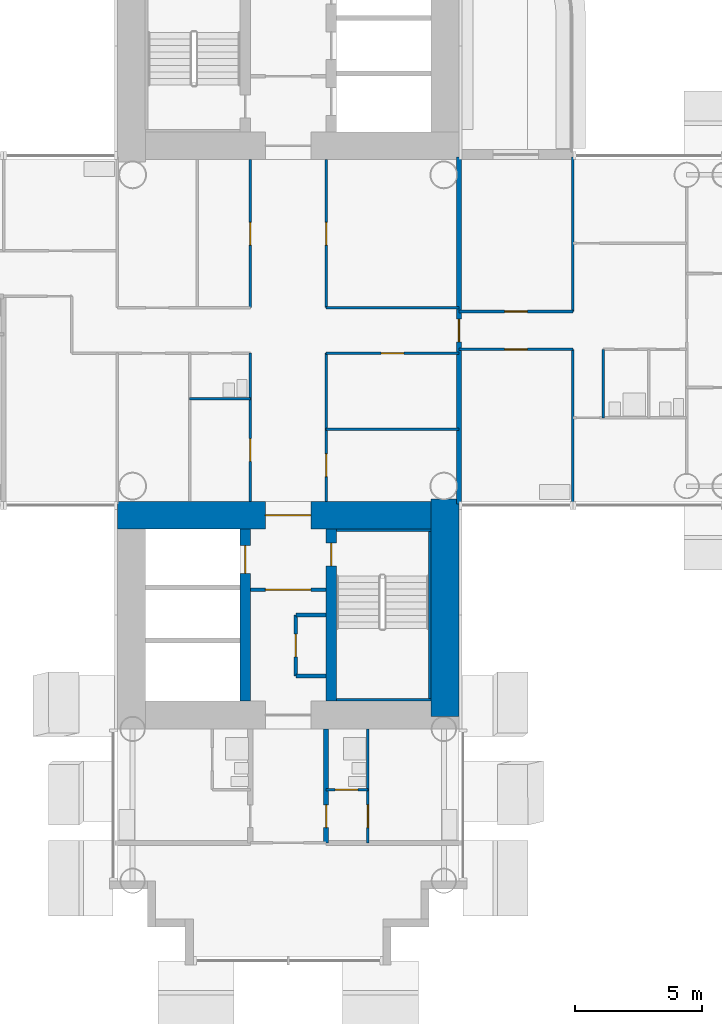
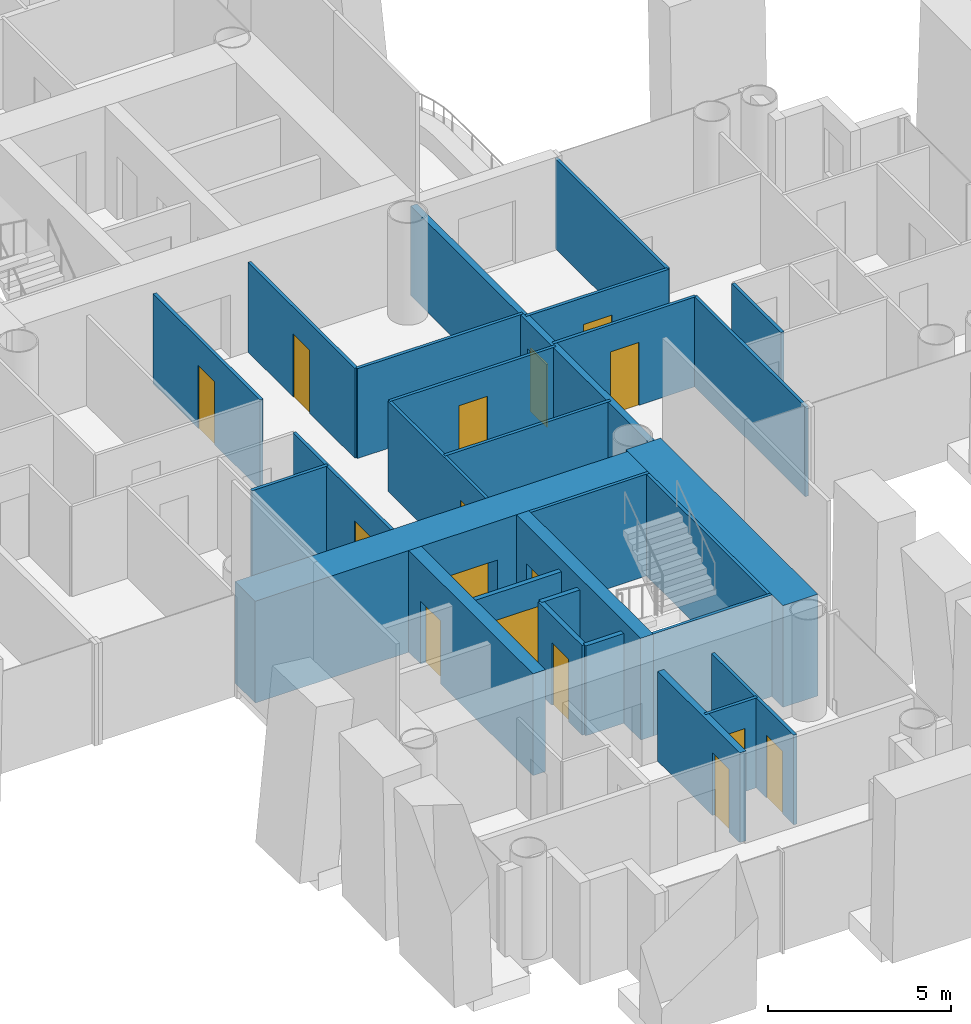
# One storey, part 15 of 25: 28 walls, 16 doors, 16 openings.
"""IFC4 building model written with IfcOpenShell, lengths in metres."""

import ifcopenshell
import ifcopenshell.guid

model = None  # the IFC model being written
_history = None  # IfcOwnerHistory: only IFC2X3 demands one
_inside = {}  # id of a spatial element -> (the spatial element, [elements in it])
_under = {}  # id of a project, library or spatial element -> (it, [spatial elements below it])
_declared = {}  # id of a project -> (the project, [libraries it declares])
_typed = {}  # id of a type object -> (the type object, [elements of that type])
_made_of = {}  # id of a material, layer set ... -> (it, [elements and type objects made of it])


def new_model(schema):
    """Start an empty IFC model of exactly this schema.

    Asked for "IFC4X3", IfcOpenShell would pick the latest addendum, in which some entities
    have other attributes; the version numbers below select the first issue.
    IFC2X3 requires an IfcOwnerHistory on every rooted entity: one is made here for all.
    """
    global model, _history
    if schema == "IFC4X3":
        model = ifcopenshell.file(schema_version=(4, 3, 0, 0))
    else:
        model = ifcopenshell.file(schema=schema)
    _inside.clear()
    _under.clear()
    _declared.clear()
    _typed.clear()
    _made_of.clear()
    _history = None
    if model.schema == "IFC2X3":
        org = make("IfcOrganization", Name="unknown")
        user = make(
            "IfcPersonAndOrganization",
            ThePerson=make("IfcPerson", FamilyName="unknown"),
            TheOrganization=org,
        )
        app = make(
            "IfcApplication",
            ApplicationDeveloper=org,
            Version="unknown",
            ApplicationFullName="unknown",
            ApplicationIdentifier="unknown",
        )
        _history = make(
            "IfcOwnerHistory",
            OwningUser=user,
            OwningApplication=app,
            ChangeAction="ADDED",
            CreationDate=0,
        )
    return model


def make(cls, **values):
    """One entity of the class cls with the attributes given. An attribute that is None is left unset."""
    return model.create_entity(
        cls, **{name: value for name, value in values.items() if value is not None}
    )


def rooted(cls, **values):
    """An entity with a GlobalId (a new one), such as an element, a storey or a relation."""
    return make(cls, GlobalId=ifcopenshell.guid.new(), OwnerHistory=_history, **values)


def si_unit(unit_type, name, prefix=None):
    """IfcSIUnit, for example si_unit("LENGTHUNIT", "METRE", prefix="MILLI")."""
    return make("IfcSIUnit", UnitType=unit_type, Prefix=prefix, Name=name)


def assignment(units):
    """IfcUnitAssignment: the units of a project."""
    return None if units is None else make("IfcUnitAssignment", Units=units)


def point(xyz):
    """IfcCartesianPoint."""
    return None if xyz is None else make("IfcCartesianPoint", Coordinates=xyz)


def direction(xyz):
    """IfcDirection."""
    return None if xyz is None else make("IfcDirection", DirectionRatios=xyz)


def frame(location, z_axis=None, x_axis=None):
    """IfcAxis2Placement3D, a coordinate frame: its origin and axes. An axis left out is left unset."""
    return make(
        "IfcAxis2Placement3D",
        Location=point(location),
        Axis=direction(z_axis),
        RefDirection=direction(x_axis),
    )


def frame_2d(location, x_axis=None):
    """IfcAxis2Placement2D, a coordinate frame in the plane: its origin and x axis."""
    return make(
        "IfcAxis2Placement2D", Location=point(location), RefDirection=direction(x_axis)
    )


def origin():
    """The frame at (0, 0, 0) with its axes left unset."""
    return frame((0.0, 0.0, 0.0))


def place(relative_to, where):
    """IfcLocalPlacement: puts the frame where relative to a parent placement (None: the world)."""
    return make(
        "IfcLocalPlacement", PlacementRelTo=relative_to, RelativePlacement=where
    )


def context(
    kind, dimensions, precision=None, world=None, true_north=None, identifier=None
):
    """IfcGeometricRepresentationContext, for example the 3D "Model" context."""
    return make(
        "IfcGeometricRepresentationContext",
        ContextIdentifier=identifier,
        ContextType=kind,
        CoordinateSpaceDimension=dimensions,
        Precision=precision,
        WorldCoordinateSystem=world,
        TrueNorth=true_north,
    )


def subcontext(parent, identifier, kind, view, scale=None):
    """IfcGeometricRepresentationSubContext, for example "Body" below "Model"."""
    return make(
        "IfcGeometricRepresentationSubContext",
        ContextIdentifier=identifier,
        ContextType=kind,
        ParentContext=parent,
        TargetScale=scale,
        TargetView=view,
    )


def project(units=None, contexts=None):
    """IfcProject with its units and contexts."""
    return rooted(
        "IfcProject",
        Name="project",
        RepresentationContexts=contexts,
        UnitsInContext=assignment(units),
    )


def spatial(cls, under=None, at=None, **own):
    """A site, building, storey or space (cls), placed at a placement, below another one or the project."""
    s = rooted(cls, ObjectPlacement=at, **own)
    if under is not None:
        _under.setdefault(under.id(), (under, []))[1].append(s)
    return s


def profile(cls, at=None, kind="AREA", **sizes):
    """A parametric profile (cls). Its sizes go by their IFC names, for example OverallWidth=200.0."""
    return make(cls, ProfileType=kind, Position=at, **sizes)


def rectangle(**sizes):
    """IfcRectangleProfileDef."""
    return profile("IfcRectangleProfileDef", **sizes)


def extrude(swept, where, along, depth):
    """IfcExtrudedAreaSolid: the profile swept, set in the frame where, extruded along a direction by depth."""
    return make(
        "IfcExtrudedAreaSolid",
        SweptArea=swept,
        Position=where,
        ExtrudedDirection=direction(along),
        Depth=depth,
    )


def shape(context_of_items, identifier, shape_type, items):
    """IfcShapeRepresentation: the items that make up one representation, for example the "Body"."""
    return make(
        "IfcShapeRepresentation",
        ContextOfItems=context_of_items,
        RepresentationIdentifier=identifier,
        RepresentationType=shape_type,
        Items=items,
    )


def material(Name=None, Category=None):
    """IfcMaterial."""
    return make("IfcMaterial", Name=Name, Category=Category)


def layer(
    of_material, thickness, ventilated=None, Name=None, Category=None, Priority=None
):
    """IfcMaterialLayer: one layer of a wall or slab, of a material (None: an air gap)."""
    return make(
        "IfcMaterialLayer",
        Material=of_material,
        LayerThickness=thickness,
        IsVentilated=ventilated,
        Name=Name,
        Category=Category,
        Priority=Priority,
    )


def layer_set(layers, Name=None):
    """IfcMaterialLayerSet."""
    return make("IfcMaterialLayerSet", MaterialLayers=layers, LayerSetName=Name)


def made_of(thing, what):
    """Note that an element or type object is made of a material, layer set ...; save() writes the relation."""
    if what is not None:
        _made_of.setdefault(what.id(), (what, []))[1].append(thing)
    return thing


def type_object(cls, material=None, **own):
    """A type object (cls), such as IfcWallType, which elements share."""
    return made_of(rooted(cls, **own), material)


def element(
    cls,
    number,
    at=None,
    inside=None,
    cuts=None,
    type_object=None,
    material=None,
    context=None,
    identifier="Body",
    shape_type=None,
    held_by="IfcProductDefinitionShape",
    body=None,
    shapes=None,
    **own,
):
    """One element of the class cls, such as IfcWall. Its Tag is "e" and its number.

    at: its placement. inside: the storey or other place that contains it. cuts: it is an
    opening in that element (IfcRelVoidsElement). A single representation is given by context,
    identifier, shape_type and body (its items); several are given by shapes. held_by: the class
    of the entity that holds the representations. save() writes the other relations.
    """
    e = rooted(cls, Tag="e%d" % number, ObjectPlacement=at, **own)
    if body is not None:
        shapes = [shape(context, identifier, shape_type, body)]
    if shapes is not None:
        e.Representation = make(held_by, Representations=shapes)
    if inside is not None:
        _inside.setdefault(inside.id(), (inside, []))[1].append(e)
    if cuts is not None:
        rooted(
            "IfcRelVoidsElement", RelatingBuildingElement=cuts, RelatedOpeningElement=e
        )
    if type_object is not None:
        _typed.setdefault(type_object.id(), (type_object, []))[1].append(e)
    return made_of(e, material)


def fill(opening, filler):
    """IfcRelFillsElement: the door or window that sits in an opening."""
    return rooted(
        "IfcRelFillsElement",
        RelatingOpeningElement=opening,
        RelatedBuildingElement=filler,
    )


def aggregate(whole, parts):
    """IfcRelAggregates: a whole, such as a stair, and the parts it consists of."""
    return rooted("IfcRelAggregates", RelatingObject=whole, RelatedObjects=parts)


def save(model, path):
    """Write the relations noted so far, then the file.

    IfcRelAggregates (storeys below a building ...), IfcRelContainedInSpatialStructure (elements
    in a storey), IfcRelDefinesByType, IfcRelAssociatesMaterial and IfcRelDeclares: one each for
    every whole, place, type object, material and project.
    """
    for whole, parts in _under.values():
        aggregate(whole, parts)
    for where, things in _inside.values():
        rooted(
            "IfcRelContainedInSpatialStructure",
            RelatedElements=things,
            RelatingStructure=where,
        )
    for kind, things in _typed.values():
        rooted("IfcRelDefinesByType", RelatedObjects=things, RelatingType=kind)
    for what, things in _made_of.values():
        rooted("IfcRelAssociatesMaterial", RelatedObjects=things, RelatingMaterial=what)
    for by, libraries in _declared.values():
        rooted("IfcRelDeclares", RelatingContext=by, RelatedDefinitions=libraries)
    model.write(path)


model = new_model("IFC4")

# Units and contexts
model_context = context("Model", 3, precision=1e-05, world=origin(), true_north=direction((0.0, 1.0)))
body_context = subcontext(model_context, "Body", "Model", "MODEL_VIEW")
ifc_project = project(units=[si_unit("LENGTHUNIT", "METRE"), si_unit("AREAUNIT", "SQUARE_METRE"), si_unit("VOLUMEUNIT", "CUBIC_METRE"), si_unit("PLANEANGLEUNIT", "RADIAN"), si_unit("MASSUNIT", "GRAM", prefix="KILO")], contexts=[model_context])

# Site, building, storey
site_placement = place(None, origin())
site = spatial("IfcSite", under=ifc_project, at=site_placement, CompositionType="ELEMENT")
building_placement = place(site_placement, origin())
building = spatial("IfcBuilding", under=site, at=building_placement, Name="Ipe Terrace Towers", CompositionType="ELEMENT")
storey_placement = place(building_placement, frame((0.0, 0.0, 65.300048828125)))
storey = spatial("IfcBuildingStorey", under=building, at=storey_placement, Name="L17", CompositionType="ELEMENT", Elevation=65.300048828125)

# Wall, opening, door
ifc_material_1 = material(Name="Gypsum board partition", Category="plasterboard")
ifc_layer_1 = layer(ifc_material_1, 0.10009765625)
ifc_layer_set_1 = layer_set([ifc_layer_1], Name="Gypsum board partition 100 mm")
wall_type_1 = type_object("IfcWallType", Name="Gypsum board partition 100 mm", PredefinedType="PARTITIONING", material=ifc_layer_set_1)
wall_1_placement = place(storey_placement, frame((39.14990234375, -18.14990234375, 0.0), z_axis=(0.0, 0.0, 1.0), x_axis=(-1.0, 0.0, 0.0)))
wall_1 = element("IfcWall", 1, at=wall_1_placement, inside=storey, type_object=wall_type_1, Name="Gypsum board partition T2 L17 W04", PredefinedType="PARTITIONING", context=body_context, shape_type="SweptSolid", body=[
    extrude(rectangle(XDim=1.64990234375, YDim=0.10009765625, at=frame_2d((0.824951171875, 0.0))), origin(), (0.0, 0.0, 1.0), 3.0),
])
opening_1_placement = place(wall_1_placement, frame((0.39990234375, 0.0, 0.0)))
opening_1 = element("IfcOpeningElement", 2, at=opening_1_placement, cuts=wall_1, Name="Opening T2-Z1E-36", PredefinedType="OPENING", context=body_context, shape_type="SweptSolid", body=[
    extrude(rectangle(XDim=0.89990234375, YDim=2.10009765625, at=frame_2d((0.449951171875, 1.050048828125))), frame((0.0, 0.06005859375, 0.0), z_axis=(0.0, -1.0, 0.0), x_axis=(1.0, 0.0, 0.0)), (0.0, 0.0, 1.0), 0.1201171875),
])
ifc_material_2 = material(Name="Timber door leaf", Category="wood")
door_type_1 = type_object("IfcDoorType", Name="Bathroom door 900 x 2100", OperationType="NOTDEFINED", PredefinedType="DOOR", material=ifc_material_2)
door_1_placement = place(opening_1_placement, origin())
door_1 = element("IfcDoor", 3, at=door_1_placement, inside=storey, type_object=door_type_1, Name="Bathroom door T2-Z1E-36", OperationType="SINGLE_SWING_RIGHT", OverallHeight=2.10009765625, OverallWidth=0.89990234375, PredefinedType="DOOR", context=body_context, shape_type="SweptSolid", body=[
    extrude(rectangle(XDim=0.89990234375, YDim=2.10009765625, at=frame_2d((0.449951171875, 1.050048828125))), frame((0.0, 0.02490234375, 0.0), z_axis=(0.0, -1.0, 0.0), x_axis=(1.0, 0.0, 0.0)), (0.0, 0.0, 1.0), 0.050048828125),
])
fill(opening_1, door_1)

# Walls
wall_2_placement = place(storey_placement, frame((42.75, -3.89990234375, 0.0), z_axis=(0.0, 0.0, 1.0), x_axis=(-1.0, 0.0, 0.0)))
element("IfcWall", 4, at=wall_2_placement, inside=storey, type_object=wall_type_1, Name="Gypsum board partition T2 L17 W06", PredefinedType="PARTITIONING", context=body_context, shape_type="SweptSolid", body=[
    extrude(rectangle(XDim=5.25, YDim=0.10009765625, at=frame_2d((2.625, 0.0))), origin(), (0.0, 0.0, 1.0), 3.0),
])
wall_3_placement = place(storey_placement, frame((34.5, -2.699951171875, 0.0), z_axis=(0.0, 0.0, 1.0), x_axis=(-1.0, 0.0, 0.0)))
element("IfcWall", 5, at=wall_3_placement, inside=storey, type_object=wall_type_1, Name="Gypsum board partition T2 L17 W08", PredefinedType="PARTITIONING", context=body_context, shape_type="SweptSolid", body=[
    extrude(rectangle(XDim=2.39990234375, YDim=0.10009765625, at=frame_2d((1.199951171875, 0.0))), origin(), (0.0, 0.0, 1.0), 3.0),
])

# Wall, opening, door
wall_4_placement = place(storey_placement, frame((42.75, -0.89990234375, 0.0), z_axis=(0.0, 0.0, 1.0), x_axis=(-1.0, 0.0, 0.0)))
wall_4 = element("IfcWall", 6, at=wall_4_placement, inside=storey, type_object=wall_type_1, Name="Gypsum board partition T2 L17 W10", PredefinedType="PARTITIONING", context=body_context, shape_type="SweptSolid", body=[
    extrude(rectangle(XDim=5.25, YDim=0.10009765625, at=frame_2d((2.625, 0.0))), origin(), (0.0, 0.0, 1.0), 3.0),
])
opening_2_placement = place(wall_4_placement, frame((2.175048828125, 0.0, 0.0)))
opening_2 = element("IfcOpeningElement", 7, at=opening_2_placement, cuts=wall_4, Name="Opening T2-Z1E-06", PredefinedType="OPENING", context=body_context, shape_type="SweptSolid", body=[
    extrude(rectangle(XDim=0.89990234375, YDim=2.10009765625, at=frame_2d((0.449951171875, 1.050048828125))), frame((0.0, 0.06005859375, 0.0), z_axis=(0.0, -1.0, 0.0), x_axis=(1.0, 0.0, 0.0)), (0.0, 0.0, 1.0), 0.1201171875),
])
ifc_material_3 = material(Name="Timber door leaf", Category="wood")
door_type_2 = type_object("IfcDoorType", Name="Lounge door 900 x 2100", OperationType="NOTDEFINED", PredefinedType="DOOR", material=ifc_material_3)
door_2_placement = place(opening_2_placement, origin())
door_2 = element("IfcDoor", 8, at=door_2_placement, inside=storey, type_object=door_type_2, Name="Lounge door T2-Z1E-06", OperationType="SINGLE_SWING_LEFT", OverallHeight=2.10009765625, OverallWidth=0.89990234375, PredefinedType="DOOR", context=body_context, shape_type="SweptSolid", body=[
    extrude(rectangle(XDim=0.89990234375, YDim=2.10009765625, at=frame_2d((0.449951171875, 1.050048828125))), frame((0.0, 0.02490234375, 0.0), z_axis=(0.0, -1.0, 0.0), x_axis=(1.0, 0.0, 0.0)), (0.0, 0.0, 1.0), 0.050048828125),
])
fill(opening_2, door_2)

wall_5_placement = place(storey_placement, frame((47.25, -0.75, 0.0), z_axis=(0.0, 0.0, 1.0), x_axis=(-1.0, 0.0, 0.0)))
wall_5 = element("IfcWall", 9, at=wall_5_placement, inside=storey, type_object=wall_type_1, Name="Gypsum board partition T2 L17 W13", PredefinedType="PARTITIONING", context=body_context, shape_type="SweptSolid", body=[
    extrude(rectangle(XDim=4.5, YDim=0.10009765625, at=frame_2d((2.25, 0.0))), origin(), (0.0, 0.0, 1.0), 3.0),
])
opening_3_placement = place(wall_5_placement, frame((1.800048828125, 0.0, 0.0)))
opening_3 = element("IfcOpeningElement", 10, at=opening_3_placement, cuts=wall_5, Name="Opening T2-Z1E-16", PredefinedType="OPENING", context=body_context, shape_type="SweptSolid", body=[
    extrude(rectangle(XDim=0.89990234375, YDim=2.10009765625, at=frame_2d((0.449951171875, 1.050048828125))), frame((0.0, 0.06005859375, 0.0), z_axis=(0.0, -1.0, 0.0), x_axis=(1.0, 0.0, 0.0)), (0.0, 0.0, 1.0), 0.1201171875),
])
door_3_placement = place(opening_3_placement, origin())
door_3 = element("IfcDoor", 11, at=door_3_placement, inside=storey, type_object=door_type_2, Name="Lounge door T2-Z1E-16", OperationType="SINGLE_SWING_LEFT", OverallHeight=2.10009765625, OverallWidth=0.89990234375, PredefinedType="DOOR", context=body_context, shape_type="SweptSolid", body=[
    extrude(rectangle(XDim=0.89990234375, YDim=2.10009765625, at=frame_2d((0.449951171875, 1.050048828125))), frame((0.0, 0.02490234375, 0.0), z_axis=(0.0, -1.0, 0.0), x_axis=(1.0, 0.0, 0.0)), (0.0, 0.0, 1.0), 0.050048828125),
])
fill(opening_3, door_3)

wall_6_placement = place(storey_placement, frame((47.25, 0.75, 0.0), z_axis=(0.0, 0.0, 1.0), x_axis=(-1.0, 0.0, 0.0)))
wall_6 = element("IfcWall", 12, at=wall_6_placement, inside=storey, type_object=wall_type_1, Name="Gypsum board partition T2 L17 W15", PredefinedType="PARTITIONING", context=body_context, shape_type="SweptSolid", body=[
    extrude(rectangle(XDim=4.5, YDim=0.10009765625, at=frame_2d((2.25, 0.0))), origin(), (0.0, 0.0, 1.0), 3.0),
])
opening_4_placement = place(wall_6_placement, frame((1.800048828125, 0.0, 0.0)))
opening_4 = element("IfcOpeningElement", 13, at=opening_4_placement, cuts=wall_6, Name="Opening T2-Z1E-15", PredefinedType="OPENING", context=body_context, shape_type="SweptSolid", body=[
    extrude(rectangle(XDim=0.89990234375, YDim=2.10009765625, at=frame_2d((0.449951171875, 1.050048828125))), frame((0.0, 0.06005859375, 0.0), z_axis=(0.0, -1.0, 0.0), x_axis=(1.0, 0.0, 0.0)), (0.0, 0.0, 1.0), 0.1201171875),
])
door_4_placement = place(opening_4_placement, origin())
door_4 = element("IfcDoor", 14, at=door_4_placement, inside=storey, type_object=door_type_2, Name="Lounge door T2-Z1E-15", OperationType="SINGLE_SWING_RIGHT", OverallHeight=2.10009765625, OverallWidth=0.89990234375, PredefinedType="DOOR", context=body_context, shape_type="SweptSolid", body=[
    extrude(rectangle(XDim=0.89990234375, YDim=2.10009765625, at=frame_2d((0.449951171875, 1.050048828125))), frame((0.0, 0.02490234375, 0.0), z_axis=(0.0, -1.0, 0.0), x_axis=(1.0, 0.0, 0.0)), (0.0, 0.0, 1.0), 0.050048828125),
])
fill(opening_4, door_4)

# Walls
wall_7_placement = place(storey_placement, frame((42.75, 0.89990234375, 0.0), z_axis=(0.0, 0.0, 1.0), x_axis=(-1.0, 0.0, 0.0)))
element("IfcWall", 15, at=wall_7_placement, inside=storey, type_object=wall_type_1, Name="Gypsum board partition T2 L17 W16", PredefinedType="PARTITIONING", context=body_context, shape_type="SweptSolid", body=[
    extrude(rectangle(XDim=5.25, YDim=0.10009765625, at=frame_2d((2.625, 0.0))), origin(), (0.0, 0.0, 1.0), 3.0),
])
wall_8_placement = place(storey_placement, frame((48.449951171875, -3.449951171875, 0.0), z_axis=(0.0, 0.0, 1.0), x_axis=(0.0, 1.0, 0.0)))
element("IfcWall", 16, at=wall_8_placement, inside=storey, type_object=wall_type_1, Name="Gypsum board partition T2 L17 W29", PredefinedType="PARTITIONING", context=body_context, shape_type="SweptSolid", body=[
    extrude(rectangle(XDim=2.699951171875, YDim=0.10009765625, at=frame_2d((1.35009765625, 0.0))), origin(), (0.0, 0.0, 1.0), 3.0),
])
for number, where, z_axis, x_axis, name in (
    (17, (47.25, -6.85009765625, 0.0), (0.0, 0.0, 1.0), (0.0, 1.0, 0.0), "Gypsum board partition T2 L17 W30"),
    (18, (47.25, 0.75, 0.0), (0.0, 0.0, 1.0), (0.0, 1.0, 0.0), "Gypsum board partition T2 L17 W31"),
):
    element("IfcWall", number, at=place(storey_placement, frame(where, z_axis=z_axis, x_axis=x_axis)), inside=storey, type_object=wall_type_1, Name=name, PredefinedType="PARTITIONING", context=body_context, shape_type="SweptSolid", body=[
        extrude(rectangle(XDim=6.10009765625, YDim=0.10009765625, at=frame_2d((3.050048828125, 0.0))), origin(), (0.0, 0.0, 1.0), 3.0),
    ])

# Wall, opening, door
wall_9_placement = place(storey_placement, frame((39.14990234375, -20.25, 0.0), z_axis=(0.0, 0.0, 1.0), x_axis=(0.0, 1.0, 0.0)))
wall_9 = element("IfcWall", 19, at=wall_9_placement, inside=storey, type_object=wall_type_1, Name="Gypsum board partition T2 L17 W33", PredefinedType="PARTITIONING", context=body_context, shape_type="SweptSolid", body=[
    extrude(rectangle(XDim=4.5, YDim=0.10009765625, at=frame_2d((2.25, 0.0))), origin(), (0.0, 0.0, 1.0), 3.0),
])
opening_5_placement = place(wall_9_placement, frame((0.60009765625, 0.0, 0.0)))
opening_5 = element("IfcOpeningElement", 20, at=opening_5_placement, cuts=wall_9, Name="Opening T2-Z1E-35", PredefinedType="OPENING", context=body_context, shape_type="SweptSolid", body=[
    extrude(rectangle(XDim=0.89990234375, YDim=2.10009765625, at=frame_2d((0.449951171875, 1.050048828125))), frame((0.0, 0.06005859375, 0.0), z_axis=(0.0, -1.0, 0.0), x_axis=(1.0, 0.0, 0.0)), (0.0, 0.0, 1.0), 0.1201171875),
])
ifc_material_4 = material(Name="Timber door leaf", Category="wood")
door_type_3 = type_object("IfcDoorType", Name="Bedroom door 900 x 2100", OperationType="NOTDEFINED", PredefinedType="DOOR", material=ifc_material_4)
door_5_placement = place(opening_5_placement, origin())
door_5 = element("IfcDoor", 21, at=door_5_placement, inside=storey, type_object=door_type_3, Name="Bedroom door T2-Z1E-35", OperationType="SINGLE_SWING_LEFT", OverallHeight=2.10009765625, OverallWidth=0.89990234375, PredefinedType="DOOR", context=body_context, shape_type="SweptSolid", body=[
    extrude(rectangle(XDim=0.89990234375, YDim=2.10009765625, at=frame_2d((0.449951171875, 1.050048828125))), frame((0.0, 0.02490234375, 0.0), z_axis=(0.0, -1.0, 0.0), x_axis=(1.0, 0.0, 0.0)), (0.0, 0.0, 1.0), 0.050048828125),
])
fill(opening_5, door_5)

wall_10_placement = place(storey_placement, frame((37.5, -6.75, 0.0), z_axis=(0.0, 0.0, 1.0), x_axis=(0.0, 1.0, 0.0)))
wall_10 = element("IfcWall", 22, at=wall_10_placement, inside=storey, type_object=wall_type_1, Name="Gypsum board partition T2 L17 W35", PredefinedType="PARTITIONING", context=body_context, shape_type="SweptSolid", body=[
    extrude(rectangle(XDim=5.85009765625, YDim=0.10009765625, at=frame_2d((2.925048828125, 0.0))), origin(), (0.0, 0.0, 1.0), 3.0),
])
opening_6_placement = place(wall_10_placement, frame((0.97509765625, 0.0, 0.0)))
opening_6 = element("IfcOpeningElement", 23, at=opening_6_placement, cuts=wall_10, Name="Opening T2-Z1E-07", PredefinedType="OPENING", context=body_context, shape_type="SweptSolid", body=[
    extrude(rectangle(XDim=0.89990234375, YDim=2.10009765625, at=frame_2d((0.449951171875, 1.050048828125))), frame((0.0, 0.06005859375, 0.0), z_axis=(0.0, -1.0, 0.0), x_axis=(1.0, 0.0, 0.0)), (0.0, 0.0, 1.0), 0.1201171875),
])
door_6_placement = place(opening_6_placement, origin())
door_6 = element("IfcDoor", 24, at=door_6_placement, inside=storey, type_object=door_type_2, Name="Lounge door T2-Z1E-07", OperationType="SINGLE_SWING_LEFT", OverallHeight=2.10009765625, OverallWidth=0.89990234375, PredefinedType="DOOR", context=body_context, shape_type="SweptSolid", body=[
    extrude(rectangle(XDim=0.89990234375, YDim=2.10009765625, at=frame_2d((0.449951171875, 1.050048828125))), frame((0.0, 0.02490234375, 0.0), z_axis=(0.0, -1.0, 0.0), x_axis=(1.0, 0.0, 0.0)), (0.0, 0.0, 1.0), 0.050048828125),
])
fill(opening_6, door_6)

wall_11_placement = place(storey_placement, frame((37.5, 0.89990234375, 0.0), z_axis=(0.0, 0.0, 1.0), x_axis=(0.0, 1.0, 0.0)))
wall_11 = element("IfcWall", 25, at=wall_11_placement, inside=storey, type_object=wall_type_1, Name="Gypsum board partition T2 L17 W36", PredefinedType="PARTITIONING", context=body_context, shape_type="SweptSolid", body=[
    extrude(rectangle(XDim=5.85009765625, YDim=0.10009765625, at=frame_2d((2.925048828125, 0.0))), origin(), (0.0, 0.0, 1.0), 3.0),
])
opening_7_placement = place(wall_11_placement, frame((2.47509765625, 0.0, 0.0)))
opening_7 = element("IfcOpeningElement", 26, at=opening_7_placement, cuts=wall_11, Name="Opening T2-Z1E-08", PredefinedType="OPENING", context=body_context, shape_type="SweptSolid", body=[
    extrude(rectangle(XDim=0.89990234375, YDim=2.10009765625, at=frame_2d((0.449951171875, 1.050048828125))), frame((0.0, 0.06005859375, 0.0), z_axis=(0.0, -1.0, 0.0), x_axis=(1.0, 0.0, 0.0)), (0.0, 0.0, 1.0), 0.1201171875),
])
door_7_placement = place(opening_7_placement, origin())
door_7 = element("IfcDoor", 27, at=door_7_placement, inside=storey, type_object=door_type_2, Name="Lounge door T2-Z1E-08", OperationType="SINGLE_SWING_RIGHT", OverallHeight=2.10009765625, OverallWidth=0.89990234375, PredefinedType="DOOR", context=body_context, shape_type="SweptSolid", body=[
    extrude(rectangle(XDim=0.89990234375, YDim=2.10009765625, at=frame_2d((0.449951171875, 1.050048828125))), frame((0.0, 0.02490234375, 0.0), z_axis=(0.0, -1.0, 0.0), x_axis=(1.0, 0.0, 0.0)), (0.0, 0.0, 1.0), 0.050048828125),
])
fill(opening_7, door_7)

wall_12_placement = place(storey_placement, frame((34.5, -6.75, 0.0), z_axis=(0.0, 0.0, 1.0), x_axis=(0.0, 1.0, 0.0)))
wall_12 = element("IfcWall", 28, at=wall_12_placement, inside=storey, type_object=wall_type_1, Name="Gypsum board partition T2 L17 W40", PredefinedType="PARTITIONING", context=body_context, shape_type="SweptSolid", body=[
    extrude(rectangle(XDim=5.85009765625, YDim=0.10009765625, at=frame_2d((2.925048828125, 0.0))), origin(), (0.0, 0.0, 1.0), 3.0),
])
opening_8_placement = place(wall_12_placement, frame((1.574951171875, 0.0, 0.0)))
opening_8 = element("IfcOpeningElement", 29, at=opening_8_placement, cuts=wall_12, Name="Opening T2-Z1E-04", PredefinedType="OPENING", context=body_context, shape_type="SweptSolid", body=[
    extrude(rectangle(XDim=0.89990234375, YDim=2.10009765625, at=frame_2d((0.449951171875, 1.050048828125))), frame((0.0, 0.06005859375, 0.0), z_axis=(0.0, -1.0, 0.0), x_axis=(1.0, 0.0, 0.0)), (0.0, 0.0, 1.0), 0.1201171875),
])
door_8_placement = place(opening_8_placement, origin())
door_8 = element("IfcDoor", 30, at=door_8_placement, inside=storey, type_object=door_type_2, Name="Lounge door T2-Z1E-04", OperationType="SINGLE_SWING_RIGHT", OverallHeight=2.10009765625, OverallWidth=0.89990234375, PredefinedType="DOOR", context=body_context, shape_type="SweptSolid", body=[
    extrude(rectangle(XDim=0.89990234375, YDim=2.10009765625, at=frame_2d((0.449951171875, 1.050048828125))), frame((0.0, 0.02490234375, 0.0), z_axis=(0.0, -1.0, 0.0), x_axis=(1.0, 0.0, 0.0)), (0.0, 0.0, 1.0), 0.050048828125),
])
fill(opening_8, door_8)

wall_13_placement = place(storey_placement, frame((34.5, 0.89990234375, 0.0), z_axis=(0.0, 0.0, 1.0), x_axis=(0.0, 1.0, 0.0)))
wall_13 = element("IfcWall", 31, at=wall_13_placement, inside=storey, type_object=wall_type_1, Name="Gypsum board partition T2 L17 W41", PredefinedType="PARTITIONING", context=body_context, shape_type="SweptSolid", body=[
    extrude(rectangle(XDim=5.85009765625, YDim=0.10009765625, at=frame_2d((2.925048828125, 0.0))), origin(), (0.0, 0.0, 1.0), 3.0),
])
opening_9_placement = place(wall_13_placement, frame((2.47509765625, 0.0, 0.0)))
opening_9 = element("IfcOpeningElement", 32, at=opening_9_placement, cuts=wall_13, Name="Opening T2-Z1E-02", PredefinedType="OPENING", context=body_context, shape_type="SweptSolid", body=[
    extrude(rectangle(XDim=0.89990234375, YDim=2.10009765625, at=frame_2d((0.449951171875, 1.050048828125))), frame((0.0, 0.06005859375, 0.0), z_axis=(0.0, -1.0, 0.0), x_axis=(1.0, 0.0, 0.0)), (0.0, 0.0, 1.0), 0.1201171875),
])
door_9_placement = place(opening_9_placement, origin())
door_9 = element("IfcDoor", 33, at=door_9_placement, inside=storey, type_object=door_type_2, Name="Lounge door T2-Z1E-02", OperationType="SINGLE_SWING_LEFT", OverallHeight=2.10009765625, OverallWidth=0.89990234375, PredefinedType="DOOR", context=body_context, shape_type="SweptSolid", body=[
    extrude(rectangle(XDim=0.89990234375, YDim=2.10009765625, at=frame_2d((0.449951171875, 1.050048828125))), frame((0.0, 0.02490234375, 0.0), z_axis=(0.0, -1.0, 0.0), x_axis=(1.0, 0.0, 0.0)), (0.0, 0.0, 1.0), 0.050048828125),
])
fill(opening_9, door_9)

ifc_material_5 = material(Name="Gypsum board partition", Category="plasterboard")
ifc_layer_2 = layer(ifc_material_5, 0.14990234375)
ifc_layer_set_2 = layer_set([ifc_layer_2], Name="Gypsum board partition 150 mm")
wall_type_2 = type_object("IfcWallType", Name="Gypsum board partition 150 mm", PredefinedType="PARTITIONING", material=ifc_layer_set_2)
wall_14_placement = place(storey_placement, frame((34.5, -10.25, 0.0), z_axis=(0.0, 0.0, 1.0), x_axis=(1.0, 0.0, 0.0)))
wall_14 = element("IfcWall", 34, at=wall_14_placement, inside=storey, type_object=wall_type_2, Name="Gypsum board partition T2 L17 t2c2-lobby-wall", PredefinedType="PARTITIONING", context=body_context, shape_type="SweptSolid", body=[
    extrude(rectangle(XDim=3.0, YDim=0.14990234375, at=frame_2d((1.5, 0.0))), origin(), (0.0, 0.0, 1.0), 3.0),
])
opening_10_placement = place(wall_14_placement, frame((0.60009765625, 0.0, 0.0)))
opening_10 = element("IfcOpeningElement", 35, at=opening_10_placement, cuts=wall_14, Name="Opening T2C2-VD", PredefinedType="OPENING", context=body_context, shape_type="SweptSolid", body=[
    extrude(rectangle(XDim=1.800048828125, YDim=2.10009765625, at=frame_2d((0.89990234375, 1.050048828125))), frame((0.0, 0.0849609375, 0.0), z_axis=(0.0, -1.0, 0.0), x_axis=(1.0, 0.0, 0.0)), (0.0, 0.0, 1.0), 0.169921875),
])
ifc_material_6 = material(Name="Fire-rated timber door leaf", Category="wood")
door_type_4 = type_object("IfcDoorType", Name="Lobby door 1800 x 2100 FD60", OperationType="NOTDEFINED", PredefinedType="DOOR", material=ifc_material_6)
door_10_placement = place(opening_10_placement, origin())
door_10 = element("IfcDoor", 36, at=door_10_placement, inside=storey, type_object=door_type_4, Name="Lobby door T2C2-VD", OperationType="SINGLE_SWING_LEFT", OverallHeight=2.10009765625, OverallWidth=1.800048828125, PredefinedType="DOOR", context=body_context, shape_type="SweptSolid", body=[
    extrude(rectangle(XDim=1.800048828125, YDim=2.10009765625, at=frame_2d((0.89990234375, 1.050048828125))), frame((0.0, 0.02490234375, 0.0), z_axis=(0.0, -1.0, 0.0), x_axis=(1.0, 0.0, 0.0)), (0.0, 0.0, 1.0), 0.050048828125),
])
fill(opening_10, door_10)

wall_15_placement = place(storey_placement, frame((36.300048828125, -11.25, 0.0), z_axis=(0.0, 0.0, 1.0), x_axis=(0.0, -1.0, 0.0)))
wall_15 = element("IfcWall", 37, at=wall_15_placement, inside=storey, type_object=wall_type_2, Name="Gypsum board partition T2 L17 t2c2-cup-n-f", PredefinedType="PARTITIONING", context=body_context, shape_type="SweptSolid", body=[
    extrude(rectangle(XDim=2.39990234375, YDim=0.14990234375, at=frame_2d((1.199951171875, 0.0))), origin(), (0.0, 0.0, 1.0), 3.0),
])
opening_11_placement = place(wall_15_placement, frame((0.75, 0.0, 0.0)))
opening_11 = element("IfcOpeningElement", 38, at=opening_11_placement, cuts=wall_15, Name="Opening T2C2-SR", PredefinedType="OPENING", context=body_context, shape_type="SweptSolid", body=[
    extrude(rectangle(XDim=0.89990234375, YDim=2.10009765625, at=frame_2d((0.449951171875, 1.050048828125))), frame((0.0, 0.0849609375, 0.0), z_axis=(0.0, -1.0, 0.0), x_axis=(1.0, 0.0, 0.0)), (0.0, 0.0, 1.0), 0.169921875),
])
ifc_material_7 = material(Name="Fire-rated timber door leaf", Category="wood")
door_type_5 = type_object("IfcDoorType", Name="Service door 900 x 2100 FD60", OperationType="NOTDEFINED", PredefinedType="DOOR", material=ifc_material_7)
door_11_placement = place(opening_11_placement, origin())
door_11 = element("IfcDoor", 39, at=door_11_placement, inside=storey, type_object=door_type_5, Name="Service door T2C2-SR", OperationType="SINGLE_SWING_LEFT", OverallHeight=2.10009765625, OverallWidth=0.89990234375, PredefinedType="DOOR", context=body_context, shape_type="SweptSolid", body=[
    extrude(rectangle(XDim=0.89990234375, YDim=2.10009765625, at=frame_2d((0.449951171875, 1.050048828125))), frame((0.0, 0.02490234375, 0.0), z_axis=(0.0, -1.0, 0.0), x_axis=(1.0, 0.0, 0.0)), (0.0, 0.0, 1.0), 0.050048828125),
])
fill(opening_11, door_11)

# Walls
for number, where, z_axis, x_axis, name in (
    (40, (36.300048828125, -11.25, 0.0), (0.0, 0.0, 1.0), (1.0, 0.0, 0.0), "Gypsum board partition T2 L17 t2c2-cup-n-a"),
    (41, (36.300048828125, -13.64990234375, 0.0), (0.0, 0.0, 1.0), (1.0, 0.0, 0.0), "Gypsum board partition T2 L17 t2c2-cup-n-b"),
):
    element("IfcWall", number, at=place(storey_placement, frame(where, z_axis=z_axis, x_axis=x_axis)), inside=storey, type_object=wall_type_2, Name=name, PredefinedType="PARTITIONING", context=body_context, shape_type="SweptSolid", body=[
        extrude(rectangle(XDim=1.199951171875, YDim=0.14990234375, at=frame_2d((0.60009765625, 0.0))), origin(), (0.0, 0.0, 1.0), 3.0),
    ])

# Wall, opening, door
ifc_material_8 = material(Name="Gypsum board party wall", Category="plasterboard")
ifc_layer_3 = layer(ifc_material_8, 0.199951171875)
ifc_layer_set_3 = layer_set([ifc_layer_3], Name="Gypsum board party wall 200 mm")
wall_type_3 = type_object("IfcWallType", Name="Gypsum board party wall 200 mm", PredefinedType="SOLIDWALL", material=ifc_layer_set_3)
wall_16_placement = place(storey_placement, frame((42.75, -6.85009765625, 0.0), z_axis=(0.0, 0.0, 1.0), x_axis=(0.0, 1.0, 0.0)))
wall_16 = element("IfcWall", 42, at=wall_16_placement, inside=storey, type_object=wall_type_3, Name="Gypsum board party wall T2 L17 W32", PredefinedType="SOLIDWALL", context=body_context, shape_type="SweptSolid", body=[
    extrude(rectangle(XDim=13.7001953125, YDim=0.199951171875, at=frame_2d((6.85009765625, 0.0))), origin(), (0.0, 0.0, 1.0), 3.0),
])
opening_12_placement = place(wall_16_placement, frame((6.39990234375, 0.0, 0.0)))
opening_12 = element("IfcOpeningElement", 43, at=opening_12_placement, cuts=wall_16, Name="Opening T2-Z1E-17", PredefinedType="OPENING", context=body_context, shape_type="SweptSolid", body=[
    extrude(rectangle(XDim=0.89990234375, YDim=2.10009765625, at=frame_2d((0.449951171875, 1.050048828125))), frame((0.0, 0.10986328125, 0.0), z_axis=(0.0, -1.0, 0.0), x_axis=(1.0, 0.0, 0.0)), (0.0, 0.0, 1.0), 0.219970703125),
])
ifc_material_9 = material(Name="Fire-rated timber door leaf", Category="wood")
door_type_6 = type_object("IfcDoorType", Name="Flat entrance door 900 x 2100 FD30S", OperationType="NOTDEFINED", PredefinedType="DOOR", material=ifc_material_9)
door_12_placement = place(opening_12_placement, origin())
door_12 = element("IfcDoor", 44, at=door_12_placement, inside=storey, type_object=door_type_6, Name="Flat entrance door T2-Z1E-17", OperationType="SINGLE_SWING_RIGHT", OverallHeight=2.10009765625, OverallWidth=0.89990234375, PredefinedType="DOOR", context=body_context, shape_type="SweptSolid", body=[
    extrude(rectangle(XDim=0.89990234375, YDim=2.10009765625, at=frame_2d((0.449951171875, 1.050048828125))), frame((0.0, 0.02490234375, 0.0), z_axis=(0.0, -1.0, 0.0), x_axis=(1.0, 0.0, 0.0)), (0.0, 0.0, 1.0), 0.050048828125),
])
fill(opening_12, door_12)

wall_17_placement = place(storey_placement, frame((37.5, -20.25, 0.0), z_axis=(0.0, 0.0, 1.0), x_axis=(0.0, 1.0, 0.0)))
wall_17 = element("IfcWall", 45, at=wall_17_placement, inside=storey, type_object=wall_type_3, Name="Gypsum board party wall T2 L17 W38", PredefinedType="SOLIDWALL", context=body_context, shape_type="SweptSolid", body=[
    extrude(rectangle(XDim=4.5, YDim=0.199951171875, at=frame_2d((2.25, 0.0))), origin(), (0.0, 0.0, 1.0), 3.0),
])
opening_13_placement = place(wall_17_placement, frame((0.60009765625, 0.0, 0.0)))
opening_13 = element("IfcOpeningElement", 46, at=opening_13_placement, cuts=wall_17, Name="Opening T2-Z1E-34", PredefinedType="OPENING", context=body_context, shape_type="SweptSolid", body=[
    extrude(rectangle(XDim=0.89990234375, YDim=2.10009765625, at=frame_2d((0.449951171875, 1.050048828125))), frame((0.0, 0.10986328125, 0.0), z_axis=(0.0, -1.0, 0.0), x_axis=(1.0, 0.0, 0.0)), (0.0, 0.0, 1.0), 0.219970703125),
])
door_13_placement = place(opening_13_placement, origin())
door_13 = element("IfcDoor", 47, at=door_13_placement, inside=storey, type_object=door_type_6, Name="Flat entrance door T2-Z1E-34", OperationType="SINGLE_SWING_LEFT", OverallHeight=2.10009765625, OverallWidth=0.89990234375, PredefinedType="DOOR", context=body_context, shape_type="SweptSolid", body=[
    extrude(rectangle(XDim=0.89990234375, YDim=2.10009765625, at=frame_2d((0.449951171875, 1.050048828125))), frame((0.0, 0.02490234375, 0.0), z_axis=(0.0, -1.0, 0.0), x_axis=(1.0, 0.0, 0.0)), (0.0, 0.0, 1.0), 0.050048828125),
])
fill(opening_13, door_13)

# Walls
ifc_material_10 = material(Name="Concrete C60/75", Category="concrete")
ifc_layer_4 = layer(ifc_material_10, 0.10009765625)
ifc_layer_set_4 = layer_set([ifc_layer_4], Name="RW100 CORE INFILL WALL 100 C60-75")
wall_type_4 = type_object("IfcWallType", Name="RW100 CORE INFILL WALL 100 C60-75", PredefinedType="SHEAR", material=ifc_layer_set_4)
wall_18_placement = place(storey_placement, frame((37.89990234375, -14.60009765625, 0.0), z_axis=(0.0, 0.0, 1.0), x_axis=(1.0, 0.0, 0.0)))
element("IfcWall", 48, at=wall_18_placement, inside=storey, type_object=wall_type_4, Name="Core infill wall T2-C2-far", PredefinedType="SHEAR", context=body_context, shape_type="SweptSolid", body=[
    extrude(rectangle(XDim=3.75, YDim=0.10009765625, at=frame_2d((1.875, 0.0))), origin(), (0.0, 0.0, 1.0), 3.39990234375),
])
wall_19_placement = place(storey_placement, frame((41.60009765625, -7.949951171875, 0.0), z_axis=(0.0, 0.0, 1.0), x_axis=(0.0, -1.0, 0.0)))
element("IfcWall", 49, at=wall_19_placement, inside=storey, type_object=wall_type_4, Name="Core infill wall T2-C2-back", PredefinedType="SHEAR", context=body_context, shape_type="SweptSolid", body=[
    extrude(rectangle(XDim=6.60009765625, YDim=0.10009765625, at=frame_2d((3.300048828125, 0.0))), origin(), (0.0, 0.0, 1.0), 3.39990234375),
])
wall_20_placement = place(storey_placement, frame((37.89990234375, -7.89990234375, 0.0), z_axis=(0.0, 0.0, 1.0), x_axis=(1.0, 0.0, 0.0)))
element("IfcWall", 50, at=wall_20_placement, inside=storey, type_object=wall_type_4, Name="Core infill wall T2-C2-near", PredefinedType="SHEAR", context=body_context, shape_type="SweptSolid", body=[
    extrude(rectangle(XDim=3.75, YDim=0.10009765625, at=frame_2d((1.875, 0.0))), origin(), (0.0, 0.0, 1.0), 3.39990234375),
])
ifc_material_11 = material(Name="Concrete C60/75", Category="concrete")
ifc_layer_5 = layer(ifc_material_11, 1.10009765625)
ifc_layer_set_5 = layer_set([ifc_layer_5], Name="RW1100 CORE WALL 1100 C60-75")
wall_type_5 = type_object("IfcWallType", Name="RW1100 CORE WALL 1100 C60-75", PredefinedType="SHEAR", material=ifc_layer_set_5)
wall_21_placement = place(storey_placement, frame((42.199951171875, -15.248046875, 0.0), z_axis=(0.0, 0.0, 1.0), x_axis=(0.0, 1.0, 0.0)))
element("IfcWall", 51, at=wall_21_placement, inside=storey, type_object=wall_type_5, Name="Core wall T2-C2-Z1-W02", PredefinedType="SHEAR", context=body_context, shape_type="SweptSolid", body=[
    extrude(rectangle(XDim=8.595947265625, YDim=1.10009765625, at=frame_2d((4.2978515625, 0.0))), origin(), (0.0, 0.0, 1.0), 3.39990234375),
])

# Wall, opening, door
wall_22_placement = place(storey_placement, frame((41.64990234375, -7.300048828125, 0.0), z_axis=(0.0, 0.0, 1.0), x_axis=(-1.0, 0.0, 0.0)))
wall_22 = element("IfcWall", 52, at=wall_22_placement, inside=storey, type_object=wall_type_5, Name="Core wall T2-C2-Z1-W03", PredefinedType="SHEAR", context=body_context, shape_type="SweptSolid", body=[
    extrude(rectangle(XDim=12.39990234375, YDim=1.10009765625, at=frame_2d((6.199951171875, 0.0))), origin(), (0.0, 0.0, 1.0), 3.39990234375),
])
opening_14_placement = place(wall_22_placement, frame((4.75, 0.0, 0.0)))
opening_14 = element("IfcOpeningElement", 53, at=opening_14_placement, cuts=wall_22, Name="Opening T2C2-ND", PredefinedType="OPENING", context=body_context, shape_type="SweptSolid", body=[
    extrude(rectangle(XDim=1.800048828125, YDim=2.10009765625, at=frame_2d((0.89990234375, 1.050048828125))), frame((0.0, 0.56005859375, 0.0), z_axis=(0.0, -1.0, 0.0), x_axis=(1.0, 0.0, 0.0)), (0.0, 0.0, 1.0), 1.1201171875),
])
ifc_material_12 = material(Name="Fire-rated timber door leaf", Category="wood")
door_type_7 = type_object("IfcDoorType", Name="Fire door 1800 x 2100 FD30S", OperationType="NOTDEFINED", PredefinedType="DOOR", material=ifc_material_12)
door_14_placement = place(opening_14_placement, origin())
door_14 = element("IfcDoor", 54, at=door_14_placement, inside=storey, type_object=door_type_7, Name="Fire door T2C2-ND", OperationType="SINGLE_SWING_LEFT", OverallHeight=2.10009765625, OverallWidth=1.800048828125, PredefinedType="DOOR", context=body_context, shape_type="SweptSolid", body=[
    extrude(rectangle(XDim=1.800048828125, YDim=2.10009765625, at=frame_2d((0.89990234375, 1.050048828125))), frame((0.0, 0.02490234375, 0.0), z_axis=(0.0, -1.0, 0.0), x_axis=(1.0, 0.0, 0.0)), (0.0, 0.0, 1.0), 0.050048828125),
])
fill(opening_14, door_14)

ifc_material_13 = material(Name="Concrete C60/75", Category="concrete")
ifc_layer_6 = layer(ifc_material_13, 0.39990234375)
ifc_layer_set_6 = layer_set([ifc_layer_6], Name="RW400 CORE SPINE WALL 400 C60-75")
wall_type_6 = type_object("IfcWallType", Name="RW400 CORE SPINE WALL 400 C60-75", PredefinedType="SHEAR", material=ifc_layer_set_6)
wall_23_placement = place(storey_placement, frame((34.300048828125, -14.64990234375, 0.0), z_axis=(0.0, 0.0, 1.0), x_axis=(0.0, 1.0, 0.0)))
wall_23 = element("IfcWall", 55, at=wall_23_placement, inside=storey, type_object=wall_type_6, Name="Core spine wall T2-C2-Z1-SW1", PredefinedType="SHEAR", context=body_context, shape_type="SweptSolid", body=[
    extrude(rectangle(XDim=6.7998046875, YDim=0.39990234375, at=frame_2d((3.39990234375, 0.0))), origin(), (0.0, 0.0, 1.0), 3.39990234375),
])
opening_15_placement = place(wall_23_placement, frame((5.050048828125, 0.0, 0.0)))
opening_15 = element("IfcOpeningElement", 56, at=opening_15_placement, cuts=wall_23, Name="Opening T2C2-LD1", PredefinedType="OPENING", context=body_context, shape_type="SweptSolid", body=[
    extrude(rectangle(XDim=1.10009765625, YDim=2.10009765625, at=frame_2d((0.550048828125, 1.050048828125))), frame((0.0, 0.2099609375, 0.0), z_axis=(0.0, -1.0, 0.0), x_axis=(1.0, 0.0, 0.0)), (0.0, 0.0, 1.0), 0.419921875),
])
ifc_material_14 = material(Name="Fire-rated timber door leaf", Category="wood")
door_type_8 = type_object("IfcDoorType", Name="Sliding door 1100 x 2100 FD60", OperationType="SLIDING_TO_LEFT", PredefinedType="DOOR", material=ifc_material_14)
door_15_placement = place(opening_15_placement, origin())
door_15 = element("IfcDoor", 57, at=door_15_placement, inside=storey, type_object=door_type_8, Name="Sliding door T2C2-LD1", OperationType="SLIDING_TO_LEFT", OverallHeight=2.10009765625, OverallWidth=1.10009765625, PredefinedType="DOOR", context=body_context, shape_type="SweptSolid", body=[
    extrude(rectangle(XDim=1.10009765625, YDim=2.10009765625, at=frame_2d((0.550048828125, 1.050048828125))), frame((0.0, 0.02490234375, 0.0), z_axis=(0.0, -1.0, 0.0), x_axis=(1.0, 0.0, 0.0)), (0.0, 0.0, 1.0), 0.050048828125),
])
fill(opening_15, door_15)

wall_24_placement = place(storey_placement, frame((37.699951171875, -14.64990234375, 0.0), z_axis=(0.0, 0.0, 1.0), x_axis=(0.0, 1.0, 0.0)))
wall_24 = element("IfcWall", 58, at=wall_24_placement, inside=storey, type_object=wall_type_6, Name="Core spine wall T2-C2-Z1-SW2", PredefinedType="SHEAR", context=body_context, shape_type="SweptSolid", body=[
    extrude(rectangle(XDim=6.7998046875, YDim=0.39990234375, at=frame_2d((3.39990234375, 0.0))), origin(), (0.0, 0.0, 1.0), 3.39990234375),
])
opening_16_placement = place(wall_24_placement, frame((5.35009765625, 0.0, 0.0)))
opening_16 = element("IfcOpeningElement", 59, at=opening_16_placement, cuts=wall_24, Name="Opening T2C2-SD", PredefinedType="OPENING", context=body_context, shape_type="SweptSolid", body=[
    extrude(rectangle(XDim=0.89990234375, YDim=2.10009765625, at=frame_2d((0.449951171875, 1.050048828125))), frame((0.0, 0.2099609375, 0.0), z_axis=(0.0, -1.0, 0.0), x_axis=(1.0, 0.0, 0.0)), (0.0, 0.0, 1.0), 0.419921875),
])
ifc_material_15 = material(Name="Fire-rated timber door leaf", Category="wood")
door_type_9 = type_object("IfcDoorType", Name="Stair door 900 x 2100 FD60", OperationType="NOTDEFINED", PredefinedType="DOOR", material=ifc_material_15)
door_16_placement = place(opening_16_placement, origin())
door_16 = element("IfcDoor", 60, at=door_16_placement, inside=storey, type_object=door_type_9, Name="Stair door T2C2-SD", OperationType="SINGLE_SWING_RIGHT", OverallHeight=2.10009765625, OverallWidth=0.89990234375, PredefinedType="DOOR", context=body_context, shape_type="SweptSolid", body=[
    extrude(rectangle(XDim=0.89990234375, YDim=2.10009765625, at=frame_2d((0.449951171875, 1.050048828125))), frame((0.0, 0.02490234375, 0.0), z_axis=(0.0, -1.0, 0.0), x_axis=(1.0, 0.0, 0.0)), (0.0, 0.0, 1.0), 0.050048828125),
])
fill(opening_16, door_16)

save(model, "model.ifc")
